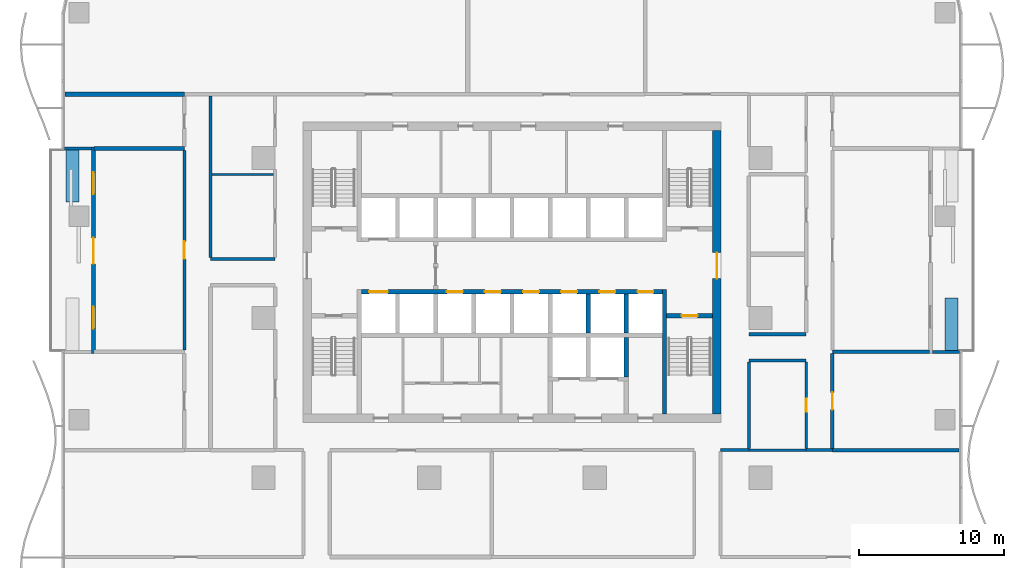
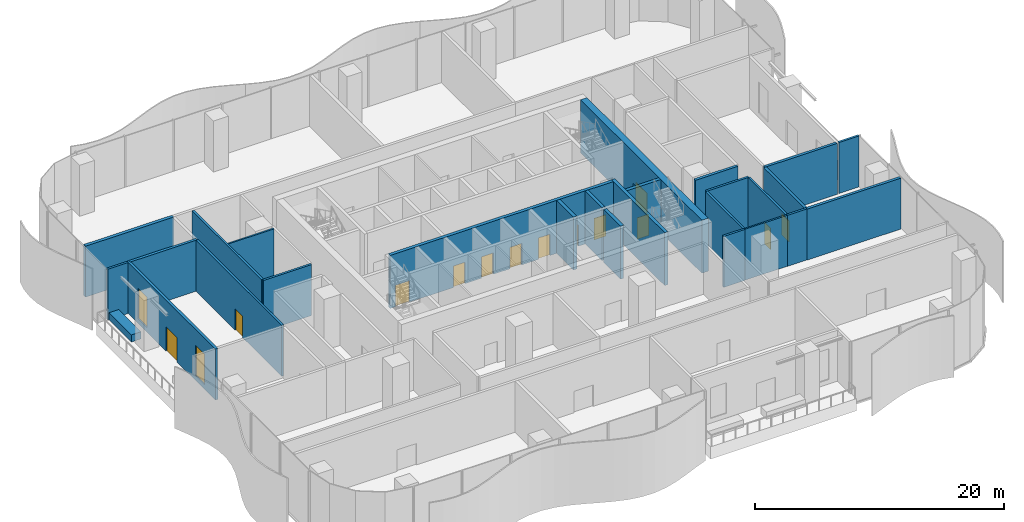
# One storey, part 9 of 21: 28 walls, 13 doors, 2 windows, 15 openings.
"""IFC4 building model written with IfcOpenShell, lengths in metres."""

from ifc_helpers import new_model, si_unit, direction, frame, frame_2d, origin, place, context, subcontext, project, spatial, rectangle, extrude, material, layer, layer_set, type_object, element, fill, save


model = new_model("IFC4")

# Units and contexts
model_context = context("Model", 3, precision=1e-05, world=origin(), true_north=direction((0.0, 1.0)))
body_context = subcontext(model_context, "Body", "Model", "MODEL_VIEW")
ifc_project = project(units=[si_unit("LENGTHUNIT", "METRE"), si_unit("AREAUNIT", "SQUARE_METRE"), si_unit("VOLUMEUNIT", "CUBIC_METRE"), si_unit("PLANEANGLEUNIT", "RADIAN"), si_unit("MASSUNIT", "GRAM", prefix="KILO")], contexts=[model_context])

# Site, building, storey
site_placement = place(None, origin())
site = spatial("IfcSite", under=ifc_project, at=site_placement, CompositionType="ELEMENT")
building_placement = place(site_placement, origin())
building = spatial("IfcBuilding", under=site, at=building_placement, Name="Mopane Tessera Tower", CompositionType="ELEMENT")
storey_placement = place(building_placement, frame((0.0, 0.0, 9.0)))
storey = spatial("IfcBuildingStorey", under=building, at=storey_placement, Name="L01", CompositionType="ELEMENT", Elevation=9.0)

# Wall, opening, door
ifc_material_1 = material(Name="Concrete C70/85", Category="concrete")
ifc_layer_1 = layer(ifc_material_1, 0.60009765625)
ifc_layer_set_1 = layer_set([ifc_layer_1], Name="Concrete C70/85")
wall_type_1 = type_object("IfcWallType", Name="Core shear wall 600 mm", PredefinedType="SHEAR", material=ifc_layer_set_1)
wall_1_placement = place(storey_placement, frame((14.10009765625, -6.60009765625, 0.0), z_axis=(0.0, 0.0, 1.0), x_axis=(0.0, 1.0, 0.0)))
wall_1 = element("IfcWall", 1, at=wall_1_placement, inside=storey, type_object=wall_type_1, Name="L01 Core wall east", PredefinedType="SHEAR", context=body_context, shape_type="SweptSolid", body=[
    extrude(rectangle(XDim=19.5, YDim=0.60009765625, at=frame_2d((9.75, 0.0))), origin(), (0.0, 0.0, 1.0), 5.199951171875),
])
opening_1_placement = place(wall_1_placement, frame((9.300048828125, 0.0, 0.0)))
opening_1 = element("IfcOpeningElement", 2, at=opening_1_placement, cuts=wall_1, Name="Opening SD2", PredefinedType="OPENING", context=body_context, shape_type="SweptSolid", body=[
    extrude(rectangle(XDim=1.800048828125, YDim=2.10009765625, at=frame_2d((0.89990234375, 1.050048828125))), frame((0.0, 0.31201171875, 0.0), z_axis=(0.0, -1.0, 0.0), x_axis=(1.0, 0.0, 0.0)), (0.0, 0.0, 1.0), 0.6240234375),
])
ifc_material_2 = material(Name="Steel fire door", Category="steel")
door_type_1 = type_object("IfcDoorType", Name="Core entrance double door 1800 x 2100", OperationType="DOUBLE_DOOR_SINGLE_SWING", PredefinedType="DOOR", material=ifc_material_2)
door_1_placement = place(opening_1_placement, origin())
door_1 = element("IfcDoor", 3, at=door_1_placement, inside=storey, type_object=door_type_1, Name="L01 Core entrance door east", OperationType="DOUBLE_DOOR_SINGLE_SWING", OverallHeight=2.10009765625, OverallWidth=1.800048828125, PredefinedType="DOOR", context=body_context, shape_type="SweptSolid", body=[
    extrude(rectangle(XDim=1.800048828125, YDim=2.10009765625, at=frame_2d((0.89990234375, 1.050048828125))), frame((0.0, 0.02490234375, 0.0), z_axis=(0.0, -1.0, 0.0), x_axis=(1.0, 0.0, 0.0)), (0.0, 0.0, 1.0), 0.050048828125),
])
fill(opening_1, door_1)

# Walls
ifc_material_3 = material(Name="Concrete C60/75", Category="concrete")
ifc_layer_2 = layer(ifc_material_3, 0.300048828125)
ifc_layer_set_2 = layer_set([ifc_layer_2], Name="Concrete C60/75")
wall_type_2 = type_object("IfcWallType", Name="Core spine wall 300 mm", PredefinedType="SHEAR", material=ifc_layer_set_2)
wall_2_placement = place(storey_placement, frame((10.5, -6.60009765625, 0.0), z_axis=(0.0, 0.0, 1.0), x_axis=(0.0, 1.0, 0.0)))
element("IfcWall", 4, at=wall_2_placement, inside=storey, type_object=wall_type_2, Name="L01 Core spine wall", PredefinedType="SHEAR", context=body_context, shape_type="SweptSolid", body=[
    extrude(rectangle(XDim=8.550048828125, YDim=0.300048828125, at=frame_2d((4.27490234375, 0.0))), origin(), (0.0, 0.0, 1.0), 5.199951171875),
])
ifc_material_4 = material(Name="Gypsum board on steel studs, two layers each face, mineral wool infill", Category="steel")
ifc_layer_3 = layer(ifc_material_4, 0.199951171875)
ifc_layer_set_3 = layer_set([ifc_layer_3], Name="Gypsum board on steel studs, two layers each face, mineral wool infill")
wall_type_3 = type_object("IfcWallType", Name="Gypsum board corridor wall 200, rated EI 60", PredefinedType="PARTITIONING", material=ifc_layer_set_3)
wall_3_placement = place(storey_placement, frame((14.340087890625, -9.10009765625, 0.0), z_axis=(0.0, 0.0, 1.0), x_axis=(1.0, 0.0, 0.0)))
element("IfcWall", 5, at=wall_3_placement, inside=storey, type_object=wall_type_3, Name="Partition L01:011", PredefinedType="PARTITIONING", context=body_context, shape_type="SweptSolid", body=[
    extrude(rectangle(XDim=1.9599609375, YDim=0.199951171875, at=frame_2d((0.97998046875, 0.0))), origin(), (0.0, 0.0, 1.0), 5.0),
])
wall_4_placement = place(storey_placement, frame((20.25, -9.10009765625, 0.0), z_axis=(0.0, 0.0, 1.0), x_axis=(1.0, 0.0, 0.0)))
element("IfcWall", 6, at=wall_4_placement, inside=storey, type_object=wall_type_3, Name="Partition L01:012", PredefinedType="PARTITIONING", context=body_context, shape_type="SweptSolid", body=[
    extrude(rectangle(XDim=1.800048828125, YDim=0.199951171875, at=frame_2d((0.89990234375, 0.0))), origin(), (0.0, 0.0, 1.0), 5.0),
])
wall_5_placement = place(storey_placement, frame((16.300048828125, -2.925048828125, 0.0), z_axis=(0.0, 0.0, 1.0), x_axis=(1.0, 0.0, 0.0)))
element("IfcWall", 7, at=wall_5_placement, inside=storey, type_object=wall_type_3, Name="Partition L01:017", PredefinedType="PARTITIONING", context=body_context, shape_type="SweptSolid", body=[
    extrude(rectangle(XDim=3.949951171875, YDim=0.199951171875, at=frame_2d((1.97509765625, 0.0))), origin(), (0.0, 0.0, 1.0), 5.0),
])
wall_6_placement = place(storey_placement, frame((-20.75, 4.050048828125, 0.0), z_axis=(0.0, 0.0, 1.0), x_axis=(1.0, 0.0, 0.0)))
element("IfcWall", 8, at=wall_6_placement, inside=storey, type_object=wall_type_3, Name="Partition L01:022", PredefinedType="PARTITIONING", context=body_context, shape_type="SweptSolid", body=[
    extrude(rectangle(XDim=4.449951171875, YDim=0.199951171875, at=frame_2d((2.22509765625, 0.0))), origin(), (0.0, 0.0, 1.0), 5.0),
])

# Wall, opening, door
wall_7_placement = place(storey_placement, frame((-22.550048828125, -2.2099609375, 0.0), z_axis=(0.0, 0.0, 1.0), x_axis=(0.0, 1.0, 0.0)))
wall_7 = element("IfcWall", 9, at=wall_7_placement, inside=storey, type_object=wall_type_3, Name="Partition L01:034", PredefinedType="PARTITIONING", context=body_context, shape_type="SweptSolid", body=[
    extrude(rectangle(XDim=13.75, YDim=0.199951171875, at=frame_2d((6.875, 0.0))), origin(), (0.0, 0.0, 1.0), 5.0),
])
opening_2_placement = place(wall_7_placement, frame((6.27490234375, 0.0, 0.0)))
opening_2 = element("IfcOpeningElement", 10, at=opening_2_placement, cuts=wall_7, Name="Opening L01-22", PredefinedType="OPENING", context=body_context, shape_type="SweptSolid", body=[
    extrude(rectangle(XDim=1.199951171875, YDim=2.10009765625, at=frame_2d((0.60009765625, 1.050048828125))), frame((0.0, 0.112060546875, 0.0), z_axis=(0.0, -1.0, 0.0), x_axis=(1.0, 0.0, 0.0)), (0.0, 0.0, 1.0), 0.223876953125),
])
ifc_material_5 = material(Name="Timber veneered steel-framed fire door", Category="steel")
door_type_2 = type_object("IfcDoorType", Name="Fire door FD60 1200 x 2100", OperationType="SINGLE_SWING_LEFT", PredefinedType="DOOR", material=ifc_material_5)
door_2_placement = place(opening_2_placement, origin())
door_2 = element("IfcDoor", 11, at=door_2_placement, inside=storey, type_object=door_type_2, Name="Door L01-22", ObjectType="D15A", OperationType="SINGLE_SWING_LEFT", OverallHeight=2.10009765625, OverallWidth=1.199951171875, PredefinedType="DOOR", context=body_context, shape_type="SweptSolid", body=[
    extrude(rectangle(XDim=1.199951171875, YDim=2.10009765625, at=frame_2d((0.60009765625, 1.050048828125))), frame((0.0, 0.02490234375, 0.0), z_axis=(0.0, -1.0, 0.0), x_axis=(1.0, 0.0, 0.0)), (0.0, 0.0, 1.0), 0.050048828125),
])
fill(opening_2, door_2)

# Walls
wall_8_placement = place(storey_placement, frame((-20.75, 4.14990234375, 0.0), z_axis=(0.0, 0.0, 1.0), x_axis=(0.0, 1.0, 0.0)))
element("IfcWall", 12, at=wall_8_placement, inside=storey, type_object=wall_type_3, Name="Partition L01:037", PredefinedType="PARTITIONING", context=body_context, shape_type="SweptSolid", body=[
    extrude(rectangle(XDim=11.125, YDim=0.199951171875, at=frame_2d((5.5625, 0.0))), origin(), (0.0, 0.0, 1.0), 5.0),
])
wall_9_placement = place(storey_placement, frame((16.300048828125, -9.0, 0.0), z_axis=(0.0, 0.0, 1.0), x_axis=(0.0, 1.0, 0.0)))
element("IfcWall", 13, at=wall_9_placement, inside=storey, type_object=wall_type_3, Name="Partition L01:053", PredefinedType="PARTITIONING", context=body_context, shape_type="SweptSolid", body=[
    extrude(rectangle(XDim=5.97509765625, YDim=0.199951171875, at=frame_2d((2.987548828125, 0.0))), origin(), (0.0, 0.0, 1.0), 5.0),
])

# Wall, opening, door
wall_10_placement = place(storey_placement, frame((20.25, -9.0, 0.0), z_axis=(0.0, 0.0, 1.0), x_axis=(0.0, 1.0, 0.0)))
wall_10 = element("IfcWall", 14, at=wall_10_placement, inside=storey, type_object=wall_type_3, Name="Partition L01:056", PredefinedType="PARTITIONING", context=body_context, shape_type="SweptSolid", body=[
    extrude(rectangle(XDim=5.97509765625, YDim=0.199951171875, at=frame_2d((2.987548828125, 0.0))), origin(), (0.0, 0.0, 1.0), 5.0),
])
opening_3_placement = place(wall_10_placement, frame((2.53759765625, 0.0, 0.0)))
opening_3 = element("IfcOpeningElement", 15, at=opening_3_placement, cuts=wall_10, Name="Opening L01-19", PredefinedType="OPENING", context=body_context, shape_type="SweptSolid", body=[
    extrude(rectangle(XDim=0.89990234375, YDim=2.10009765625, at=frame_2d((0.449951171875, 1.050048828125))), frame((0.0, 0.112060546875, 0.0), z_axis=(0.0, -1.0, 0.0), x_axis=(1.0, 0.0, 0.0)), (0.0, 0.0, 1.0), 0.223876953125),
])
ifc_material_6 = material(Name="Timber veneered steel-framed fire door", Category="steel")
door_type_3 = type_object("IfcDoorType", Name="Fire door FD60 900 x 2100", OperationType="SINGLE_SWING_LEFT", PredefinedType="DOOR", material=ifc_material_6)
door_3_placement = place(opening_3_placement, origin())
door_3 = element("IfcDoor", 16, at=door_3_placement, inside=storey, type_object=door_type_3, Name="Door L01-19", ObjectType="D10A", OperationType="SINGLE_SWING_RIGHT", OverallHeight=2.10009765625, OverallWidth=0.89990234375, PredefinedType="DOOR", context=body_context, shape_type="SweptSolid", body=[
    extrude(rectangle(XDim=0.89990234375, YDim=2.10009765625, at=frame_2d((0.449951171875, 1.050048828125))), frame((0.0, 0.02490234375, 0.0), z_axis=(0.0, -1.0, 0.0), x_axis=(1.0, 0.0, 0.0)), (0.0, 0.0, 1.0), 0.050048828125),
])
fill(opening_3, door_3)

# Walls
ifc_material_7 = material(Name="Gypsum board on steel studs, mineral wool infill", Category="steel")
ifc_layer_4 = layer(ifc_material_7, 0.14990234375)
ifc_layer_set_4 = layer_set([ifc_layer_4], Name="Gypsum board on steel studs, mineral wool infill")
wall_type_4 = type_object("IfcWallType", Name="Gypsum board partition 150, rated EI 60", PredefinedType="PARTITIONING", material=ifc_layer_set_4)
wall_11_placement = place(storey_placement, frame((16.300048828125, -9.10009765625, 0.0), z_axis=(0.0, 0.0, 1.0), x_axis=(1.0, 0.0, 0.0)))
element("IfcWall", 17, at=wall_11_placement, inside=storey, type_object=wall_type_4, Name="Partition L01:007", PredefinedType="PARTITIONING", context=body_context, shape_type="SweptSolid", body=[
    extrude(rectangle(XDim=3.949951171875, YDim=0.14990234375, at=frame_2d((1.97509765625, 0.0))), origin(), (0.0, 0.0, 1.0), 5.0),
])
wall_12_placement = place(storey_placement, frame((-20.64990234375, 9.864990234375, 0.0), z_axis=(0.0, 0.0, 1.0), x_axis=(1.0, 0.0, 0.0)))
element("IfcWall", 18, at=wall_12_placement, inside=storey, type_object=wall_type_4, Name="Partition L01:024", PredefinedType="PARTITIONING", context=body_context, shape_type="SweptSolid", body=[
    extrude(rectangle(XDim=4.25, YDim=0.14990234375, at=frame_2d((2.125, 0.0))), origin(), (0.0, 0.0, 1.0), 5.0),
])

# Wall, opening, door
ifc_material_8 = material(Name="Concrete C50/60", Category="concrete")
ifc_layer_5 = layer(ifc_material_8, 0.300048828125)
ifc_layer_set_5 = layer_set([ifc_layer_5], Name="Concrete C50/60")
wall_type_5 = type_object("IfcWallType", Name="Lift and stair shaft wall 300 mm", PredefinedType="SOLIDWALL", material=ifc_layer_set_5)
wall_13_placement = place(storey_placement, frame((10.64990234375, 0.14990234375, 0.0), z_axis=(0.0, 0.0, 1.0), x_axis=(1.0, 0.0, 0.0)))
wall_13 = element("IfcWall", 19, at=wall_13_placement, inside=storey, type_object=wall_type_5, Name="L01 Stair enclosure wall", PredefinedType="SOLIDWALL", context=body_context, shape_type="SweptSolid", body=[
    extrude(rectangle(XDim=3.150146484375, YDim=0.300048828125, at=frame_2d((1.5751953125, 0.0))), origin(), (0.0, 0.0, 1.0), 5.199951171875),
])
opening_4_placement = place(wall_13_placement, frame((1.02490234375, 0.0, 0.0)))
opening_4 = element("IfcOpeningElement", 20, at=opening_4_placement, cuts=wall_13, Name="Opening SD1", PredefinedType="OPENING", context=body_context, shape_type="SweptSolid", body=[
    extrude(rectangle(XDim=1.10009765625, YDim=2.10009765625, at=frame_2d((0.550048828125, 1.050048828125))), frame((0.0, 0.162109375, 0.0), z_axis=(0.0, -1.0, 0.0), x_axis=(1.0, 0.0, 0.0)), (0.0, 0.0, 1.0), 0.323974609375),
])
ifc_material_9 = material(Name="Steel fire door", Category="steel")
door_type_4 = type_object("IfcDoorType", Name="Stair fire door 1100 x 2100", OperationType="SINGLE_SWING_LEFT", PredefinedType="DOOR", material=ifc_material_9)
door_4_placement = place(opening_4_placement, origin())
door_4 = element("IfcDoor", 21, at=door_4_placement, inside=storey, type_object=door_type_4, Name="L01 Stair door ST3", OperationType="SINGLE_SWING_RIGHT", OverallHeight=2.10009765625, OverallWidth=1.10009765625, PredefinedType="DOOR", context=body_context, shape_type="SweptSolid", body=[
    extrude(rectangle(XDim=1.10009765625, YDim=2.10009765625, at=frame_2d((0.550048828125, 1.050048828125))), frame((0.0, 0.02490234375, 0.0), z_axis=(0.0, -1.0, 0.0), x_axis=(1.0, 0.0, 0.0)), (0.0, 0.0, 1.0), 0.050048828125),
])
fill(opening_4, door_4)

# Wall, openings, doors
wall_14_placement = place(storey_placement, frame((-10.35009765625, 1.800048828125, 0.0), z_axis=(0.0, 0.0, 1.0), x_axis=(1.0, 0.0, 0.0)))
wall_14 = element("IfcWall", 22, at=wall_14_placement, inside=storey, type_object=wall_type_5, Name="L01 Lift shaft front wall", PredefinedType="SOLIDWALL", context=body_context, shape_type="SweptSolid", body=[
    extrude(rectangle(XDim=20.7001953125, YDim=0.300048828125, at=frame_2d((10.35009765625, 0.0))), origin(), (0.0, 0.0, 1.0), 5.199951171875),
])
opening_5_placement = place(wall_14_placement, frame((0.512451171875, 0.0, 0.0)))
opening_5 = element("IfcOpeningElement", 23, at=opening_5_placement, cuts=wall_14, Name="Opening LD2", PredefinedType="OPENING", context=body_context, shape_type="SweptSolid", body=[
    extrude(rectangle(XDim=1.300048828125, YDim=2.10009765625, at=frame_2d((0.64990234375, 1.050048828125))), frame((0.0, 0.162109375, 0.0), z_axis=(0.0, -1.0, 0.0), x_axis=(1.0, 0.0, 0.0)), (0.0, 0.0, 1.0), 0.323974609375),
])
opening_6_placement = place(wall_14_placement, frame((5.862548828125, 0.0, 0.0)))
opening_6 = element("IfcOpeningElement", 24, at=opening_6_placement, cuts=wall_14, Name="Opening LD", PredefinedType="OPENING", context=body_context, shape_type="SweptSolid", body=[
    extrude(rectangle(XDim=1.10009765625, YDim=2.10009765625, at=frame_2d((0.550048828125, 1.050048828125))), frame((0.0, 0.162109375, 0.0), z_axis=(0.0, -1.0, 0.0), x_axis=(1.0, 0.0, 0.0)), (0.0, 0.0, 1.0), 0.323974609375),
])
opening_7_placement = place(wall_14_placement, frame((8.487548828125, 0.0, 0.0)))
opening_7 = element("IfcOpeningElement", 25, at=opening_7_placement, cuts=wall_14, Name="Opening LD", PredefinedType="OPENING", context=body_context, shape_type="SweptSolid", body=[
    extrude(rectangle(XDim=1.10009765625, YDim=2.10009765625, at=frame_2d((0.550048828125, 1.050048828125))), frame((0.0, 0.162109375, 0.0), z_axis=(0.0, -1.0, 0.0), x_axis=(1.0, 0.0, 0.0)), (0.0, 0.0, 1.0), 0.323974609375),
])
opening_8_placement = place(wall_14_placement, frame((11.112548828125, 0.0, 0.0)))
opening_8 = element("IfcOpeningElement", 26, at=opening_8_placement, cuts=wall_14, Name="Opening LD", PredefinedType="OPENING", context=body_context, shape_type="SweptSolid", body=[
    extrude(rectangle(XDim=1.10009765625, YDim=2.10009765625, at=frame_2d((0.550048828125, 1.050048828125))), frame((0.0, 0.162109375, 0.0), z_axis=(0.0, -1.0, 0.0), x_axis=(1.0, 0.0, 0.0)), (0.0, 0.0, 1.0), 0.323974609375),
])
opening_9_placement = place(wall_14_placement, frame((13.737548828125, 0.0, 0.0)))
opening_9 = element("IfcOpeningElement", 27, at=opening_9_placement, cuts=wall_14, Name="Opening LD", PredefinedType="OPENING", context=body_context, shape_type="SweptSolid", body=[
    extrude(rectangle(XDim=1.10009765625, YDim=2.10009765625, at=frame_2d((0.550048828125, 1.050048828125))), frame((0.0, 0.162109375, 0.0), z_axis=(0.0, -1.0, 0.0), x_axis=(1.0, 0.0, 0.0)), (0.0, 0.0, 1.0), 0.323974609375),
])
opening_10_placement = place(wall_14_placement, frame((16.362548828125, 0.0, 0.0)))
opening_10 = element("IfcOpeningElement", 28, at=opening_10_placement, cuts=wall_14, Name="Opening LD", PredefinedType="OPENING", context=body_context, shape_type="SweptSolid", body=[
    extrude(rectangle(XDim=1.10009765625, YDim=2.10009765625, at=frame_2d((0.550048828125, 1.050048828125))), frame((0.0, 0.162109375, 0.0), z_axis=(0.0, -1.0, 0.0), x_axis=(1.0, 0.0, 0.0)), (0.0, 0.0, 1.0), 0.323974609375),
])
opening_11_placement = place(wall_14_placement, frame((18.987548828125, 0.0, 0.0)))
opening_11 = element("IfcOpeningElement", 29, at=opening_11_placement, cuts=wall_14, Name="Opening LD", PredefinedType="OPENING", context=body_context, shape_type="SweptSolid", body=[
    extrude(rectangle(XDim=1.10009765625, YDim=2.10009765625, at=frame_2d((0.550048828125, 1.050048828125))), frame((0.0, 0.162109375, 0.0), z_axis=(0.0, -1.0, 0.0), x_axis=(1.0, 0.0, 0.0)), (0.0, 0.0, 1.0), 0.323974609375),
])
ifc_material_10 = material(Name="Stainless steel sliding door", Category="steel")
door_type_5 = type_object("IfcDoorType", Name="Fire-fighting lift landing door 1300 x 2100", OperationType="DOUBLE_DOOR_SLIDING", PredefinedType="DOOR", material=ifc_material_10)
door_5_placement = place(opening_5_placement, origin())
door_5 = element("IfcDoor", 30, at=door_5_placement, inside=storey, type_object=door_type_5, Name="L01 Lift landing door FF1", OperationType="DOUBLE_DOOR_SLIDING", OverallHeight=2.10009765625, OverallWidth=1.300048828125, PredefinedType="DOOR", context=body_context, shape_type="SweptSolid", body=[
    extrude(rectangle(XDim=1.300048828125, YDim=2.10009765625, at=frame_2d((0.64990234375, 1.050048828125))), frame((0.0, 0.02490234375, 0.0), z_axis=(0.0, -1.0, 0.0), x_axis=(1.0, 0.0, 0.0)), (0.0, 0.0, 1.0), 0.050048828125),
])
fill(opening_5, door_5)
ifc_material_11 = material(Name="Stainless steel sliding door", Category="steel")
door_type_6 = type_object("IfcDoorType", Name="Lift landing door 1100 x 2100", OperationType="DOUBLE_DOOR_SLIDING", PredefinedType="DOOR", material=ifc_material_11)
door_6_placement = place(opening_6_placement, origin())
door_6 = element("IfcDoor", 31, at=door_6_placement, inside=storey, type_object=door_type_6, Name="L01 Lift landing door LR1", OperationType="DOUBLE_DOOR_SLIDING", OverallHeight=2.10009765625, OverallWidth=1.10009765625, PredefinedType="DOOR", context=body_context, shape_type="SweptSolid", body=[
    extrude(rectangle(XDim=1.10009765625, YDim=2.10009765625, at=frame_2d((0.550048828125, 1.050048828125))), frame((0.0, 0.02490234375, 0.0), z_axis=(0.0, -1.0, 0.0), x_axis=(1.0, 0.0, 0.0)), (0.0, 0.0, 1.0), 0.050048828125),
])
fill(opening_6, door_6)
door_7_placement = place(opening_7_placement, origin())
door_7 = element("IfcDoor", 32, at=door_7_placement, inside=storey, type_object=door_type_6, Name="L01 Lift landing door LR2", OperationType="DOUBLE_DOOR_SLIDING", OverallHeight=2.10009765625, OverallWidth=1.10009765625, PredefinedType="DOOR", context=body_context, shape_type="SweptSolid", body=[
    extrude(rectangle(XDim=1.10009765625, YDim=2.10009765625, at=frame_2d((0.550048828125, 1.050048828125))), frame((0.0, 0.02490234375, 0.0), z_axis=(0.0, -1.0, 0.0), x_axis=(1.0, 0.0, 0.0)), (0.0, 0.0, 1.0), 0.050048828125),
])
fill(opening_7, door_7)
door_8_placement = place(opening_8_placement, origin())
door_8 = element("IfcDoor", 33, at=door_8_placement, inside=storey, type_object=door_type_6, Name="L01 Lift landing door LR3", OperationType="DOUBLE_DOOR_SLIDING", OverallHeight=2.10009765625, OverallWidth=1.10009765625, PredefinedType="DOOR", context=body_context, shape_type="SweptSolid", body=[
    extrude(rectangle(XDim=1.10009765625, YDim=2.10009765625, at=frame_2d((0.550048828125, 1.050048828125))), frame((0.0, 0.02490234375, 0.0), z_axis=(0.0, -1.0, 0.0), x_axis=(1.0, 0.0, 0.0)), (0.0, 0.0, 1.0), 0.050048828125),
])
fill(opening_8, door_8)
door_9_placement = place(opening_9_placement, origin())
door_9 = element("IfcDoor", 34, at=door_9_placement, inside=storey, type_object=door_type_6, Name="L01 Lift landing door LR4", OperationType="DOUBLE_DOOR_SLIDING", OverallHeight=2.10009765625, OverallWidth=1.10009765625, PredefinedType="DOOR", context=body_context, shape_type="SweptSolid", body=[
    extrude(rectangle(XDim=1.10009765625, YDim=2.10009765625, at=frame_2d((0.550048828125, 1.050048828125))), frame((0.0, 0.02490234375, 0.0), z_axis=(0.0, -1.0, 0.0), x_axis=(1.0, 0.0, 0.0)), (0.0, 0.0, 1.0), 0.050048828125),
])
fill(opening_9, door_9)
door_10_placement = place(opening_10_placement, origin())
door_10 = element("IfcDoor", 35, at=door_10_placement, inside=storey, type_object=door_type_6, Name="L01 Lift landing door LR5", OperationType="DOUBLE_DOOR_SLIDING", OverallHeight=2.10009765625, OverallWidth=1.10009765625, PredefinedType="DOOR", context=body_context, shape_type="SweptSolid", body=[
    extrude(rectangle(XDim=1.10009765625, YDim=2.10009765625, at=frame_2d((0.550048828125, 1.050048828125))), frame((0.0, 0.02490234375, 0.0), z_axis=(0.0, -1.0, 0.0), x_axis=(1.0, 0.0, 0.0)), (0.0, 0.0, 1.0), 0.050048828125),
])
fill(opening_10, door_10)
door_11_placement = place(opening_11_placement, origin())
door_11 = element("IfcDoor", 36, at=door_11_placement, inside=storey, type_object=door_type_6, Name="L01 Lift landing door LR6", OperationType="DOUBLE_DOOR_SLIDING", OverallHeight=2.10009765625, OverallWidth=1.10009765625, PredefinedType="DOOR", context=body_context, shape_type="SweptSolid", body=[
    extrude(rectangle(XDim=1.10009765625, YDim=2.10009765625, at=frame_2d((0.550048828125, 1.050048828125))), frame((0.0, 0.02490234375, 0.0), z_axis=(0.0, -1.0, 0.0), x_axis=(1.0, 0.0, 0.0)), (0.0, 0.0, 1.0), 0.050048828125),
])
fill(opening_11, door_11)

# Walls
for number, where, z_axis, x_axis, name in (
    (37, (5.25, -1.050048828125, 0.0), (0.0, 0.0, 1.0), (0.0, 1.0, 0.0), "L01 Lift shaft wall"),
    (38, (7.875, -1.050048828125, 0.0), (0.0, 0.0, 1.0), (0.0, 1.0, 0.0), "L01 Lift shaft wall"),
    (39, (7.875, -4.050048828125, 0.0), (0.0, 0.0, 1.0), (0.0, 1.0, 0.0), "L01 Lift shaft wall"),
):
    element("IfcWall", number, at=place(storey_placement, frame(where, z_axis=z_axis, x_axis=x_axis)), inside=storey, type_object=wall_type_5, Name=name, PredefinedType="SOLIDWALL", context=body_context, shape_type="SweptSolid", body=[
        extrude(rectangle(XDim=2.699951171875, YDim=0.300048828125, at=frame_2d((1.35009765625, 0.0))), origin(), (0.0, 0.0, 1.0), 5.199951171875),
    ])
ifc_material_12 = material(Name="Reinforced concrete C32/40 with waterproofing", Category="concrete")
ifc_layer_6 = layer(ifc_material_12, 0.89990234375)
ifc_layer_set_6 = layer_set([ifc_layer_6], Name="Reinforced concrete C32/40 with waterproofing")
wall_type_6 = type_object("IfcWallType", Name="Planter trough 3600 x 900", PredefinedType="STANDARD", material=ifc_layer_set_6)
for number, where, z_axis, x_axis, name in (
    (40, (30.25, -2.2333984375, 0.0), (0.0, 0.0, 1.0), (0.0, 1.0, 0.0), "e:nw:L01:N2:pl0"),
    (41, (-30.25, 11.566650390625, 0.0), (0.0, 0.0, 1.0), (0.0, -1.0, 0.0), "e:nw:L01:N3:pl0"),
):
    element("IfcWall", number, at=place(storey_placement, frame(where, z_axis=z_axis, x_axis=x_axis)), inside=storey, type_object=wall_type_6, Name=name, PredefinedType="STANDARD", context=body_context, shape_type="SweptSolid", body=[
        extrude(rectangle(XDim=3.60009765625, YDim=0.89990234375, at=frame_2d((1.800048828125, 0.0))), origin(), (0.0, 0.0, 1.0), 0.699951171875),
    ])
ifc_material_13 = material(Name="Plastered concrete blockwork C20/25", Category="masonry")
ifc_layer_7 = layer(ifc_material_13, 0.300048828125)
ifc_layer_set_7 = layer_set([ifc_layer_7], Name="Plastered concrete blockwork C20/25")
wall_type_7 = type_object("IfcWallType", Name="Plastered blockwork separation wall 300, rated EI 120", PredefinedType="PARTITIONING", material=ifc_layer_set_7)
wall_15_placement = place(storey_placement, frame((-30.75, 15.39990234375, 0.0), z_axis=(0.0, 0.0, 1.0), x_axis=(1.0, 0.0, 0.0)))
element("IfcWall", 42, at=wall_15_placement, inside=storey, type_object=wall_type_7, Name="Partition L01:033", PredefinedType="PARTITIONING", context=body_context, shape_type="SweptSolid", body=[
    extrude(rectangle(XDim=8.199951171875, YDim=0.300048828125, at=frame_2d((4.10009765625, 0.0))), origin(), (0.0, 0.0, 1.0), 5.0),
])
ifc_material_14 = material(Name="Plastered concrete blockwork C20/25", Category="masonry")
ifc_layer_8 = layer(ifc_material_14, 0.25)
ifc_layer_set_8 = layer_set([ifc_layer_8], Name="Plastered concrete blockwork C20/25")
wall_type_8 = type_object("IfcWallType", Name="Plastered blockwork wall 250, rated EI 120", PredefinedType="PARTITIONING", material=ifc_layer_set_8)
wall_16_placement = place(storey_placement, frame((22.050048828125, -9.10009765625, 0.0), z_axis=(0.0, 0.0, 1.0), x_axis=(1.0, 0.0, 0.0)))
element("IfcWall", 43, at=wall_16_placement, inside=storey, type_object=wall_type_8, Name="Partition L01:016", PredefinedType="PARTITIONING", context=body_context, shape_type="SweptSolid", body=[
    extrude(rectangle(XDim=8.699951171875, YDim=0.25, at=frame_2d((4.35009765625, 0.0))), origin(), (0.0, 0.0, 1.0), 5.0),
])
wall_17_placement = place(storey_placement, frame((22.050048828125, -2.3349609375, 0.0), z_axis=(0.0, 0.0, 1.0), x_axis=(1.0, 0.0, 0.0)))
element("IfcWall", 44, at=wall_17_placement, inside=storey, type_object=wall_type_8, Name="Partition L01:019", PredefinedType="PARTITIONING", context=body_context, shape_type="SweptSolid", body=[
    extrude(rectangle(XDim=6.699951171875, YDim=0.25, at=frame_2d((3.35009765625, 0.0))), origin(), (0.0, 0.0, 1.0), 5.0),
])
wall_18_placement = place(storey_placement, frame((16.300048828125, -1.125, 0.0), z_axis=(0.0, 0.0, 1.0), x_axis=(1.0, 0.0, 0.0)))
element("IfcWall", 45, at=wall_18_placement, inside=storey, type_object=wall_type_8, Name="Partition L01:020", PredefinedType="PARTITIONING", context=body_context, shape_type="SweptSolid", body=[
    extrude(rectangle(XDim=3.949951171875, YDim=0.25, at=frame_2d((1.97509765625, 0.0))), origin(), (0.0, 0.0, 1.0), 5.0),
])
wall_19_placement = place(storey_placement, frame((-28.75, 11.6650390625, 0.0), z_axis=(0.0, 0.0, 1.0), x_axis=(1.0, 0.0, 0.0)))
element("IfcWall", 46, at=wall_19_placement, inside=storey, type_object=wall_type_8, Name="Partition L01:026", PredefinedType="PARTITIONING", context=body_context, shape_type="SweptSolid", body=[
    extrude(rectangle(XDim=6.199951171875, YDim=0.25, at=frame_2d((3.10009765625, 0.0))), origin(), (0.0, 0.0, 1.0), 5.0),
])

# Wall, opening, door
wall_20_placement = place(storey_placement, frame((22.050048828125, -8.97509765625, 0.0), z_axis=(0.0, 0.0, 1.0), x_axis=(0.0, 1.0, 0.0)))
wall_20 = element("IfcWall", 47, at=wall_20_placement, inside=storey, type_object=wall_type_8, Name="Partition L01:060", PredefinedType="PARTITIONING", context=body_context, shape_type="SweptSolid", body=[
    extrude(rectangle(XDim=6.51513671875, YDim=0.25, at=frame_2d((3.257568359375, 0.0))), origin(), (0.0, 0.0, 1.0), 5.0),
])
opening_12_placement = place(wall_20_placement, frame((2.657470703125, 0.0, 0.0)))
opening_12 = element("IfcOpeningElement", 48, at=opening_12_placement, cuts=wall_20, Name="Opening L01-04", PredefinedType="OPENING", context=body_context, shape_type="SweptSolid", body=[
    extrude(rectangle(XDim=1.199951171875, YDim=2.10009765625, at=frame_2d((0.60009765625, 1.050048828125))), frame((0.0, 0.136962890625, 0.0), z_axis=(0.0, -1.0, 0.0), x_axis=(1.0, 0.0, 0.0)), (0.0, 0.0, 1.0), 0.27392578125),
])
ifc_material_15 = material(Name="Timber veneered steel-framed fire door", Category="steel")
door_type_7 = type_object("IfcDoorType", Name="Fire door FD120 1200 x 2100", OperationType="SINGLE_SWING_LEFT", PredefinedType="DOOR", material=ifc_material_15)
door_12_placement = place(opening_12_placement, origin())
door_12 = element("IfcDoor", 49, at=door_12_placement, inside=storey, type_object=door_type_7, Name="Door L01-04", ObjectType="D15B", OperationType="SINGLE_SWING_LEFT", OverallHeight=2.10009765625, OverallWidth=1.199951171875, PredefinedType="DOOR", context=body_context, shape_type="SweptSolid", body=[
    extrude(rectangle(XDim=1.199951171875, YDim=2.10009765625, at=frame_2d((0.60009765625, 1.050048828125))), frame((0.0, 0.02490234375, 0.0), z_axis=(0.0, -1.0, 0.0), x_axis=(1.0, 0.0, 0.0)), (0.0, 0.0, 1.0), 0.050048828125),
])
fill(opening_12, door_12)

# Walls
ifc_material_16 = material(Name="Blockwork with glazed tile facing", Category="masonry")
ifc_layer_9 = layer(ifc_material_16, 0.199951171875)
ifc_layer_set_9 = layer_set([ifc_layer_9], Name="Blockwork with glazed tile facing")
wall_type_9 = type_object("IfcWallType", Name="Terrace cheek wall 200", PredefinedType="STANDARD", material=ifc_layer_set_9)
for number, where, z_axis, x_axis, name in (
    (50, (30.800048828125, -2.333251953125, 0.0), (0.0, 0.0, 1.0), (-1.0, 0.0, 0.0), "e:nw:L01:N2:cheeka"),
    (51, (-30.800048828125, 11.666748046875, 0.0), (0.0, 0.0, 1.0), (1.0, 0.0, 0.0), "e:nw:L01:N3:cheeka"),
):
    element("IfcWall", number, at=place(storey_placement, frame(where, z_axis=z_axis, x_axis=x_axis)), inside=storey, type_object=wall_type_9, Name=name, PredefinedType="STANDARD", context=body_context, shape_type="SweptSolid", body=[
        extrude(rectangle(XDim=1.875, YDim=0.199951171875, at=frame_2d((0.9375, 0.0))), origin(), (0.0, 0.0, 1.0), 5.0),
    ])

# Wall, openings, windows, door
ifc_material_17 = material(Name="Blockwork with turquoise glazed tile facing", Category="masonry")
ifc_layer_10 = layer(ifc_material_17, 0.25)
ifc_layer_set_10 = layer_set([ifc_layer_10], Name="Blockwork with turquoise glazed tile facing")
wall_type_10 = type_object("IfcWallType", Name="Tile-clad external wall 250, turquoise", PredefinedType="STANDARD", material=ifc_layer_set_10)
wall_21_placement = place(storey_placement, frame((-28.800048828125, 11.7666015625, 0.0), z_axis=(0.0, 0.0, 1.0), x_axis=(0.0, -1.0, 0.0)))
wall_21 = element("IfcWall", 52, at=wall_21_placement, inside=storey, type_object=wall_type_10, Name="e:nw:L01:N3:back", PredefinedType="STANDARD", context=body_context, shape_type="SweptSolid", body=[
    extrude(rectangle(XDim=14.199951171875, YDim=0.25, at=frame_2d((7.10009765625, 0.0))), origin(), (0.0, 0.0, 1.0), 5.0),
])
opening_13_placement = place(wall_21_placement, frame((1.75, 0.0, 0.449951171875)))
opening_13 = element("IfcOpeningElement", 53, at=opening_13_placement, cuts=wall_21, Name="Opening NW013A", PredefinedType="OPENING", context=body_context, shape_type="SweptSolid", body=[
    extrude(rectangle(XDim=1.5, YDim=3.0, at=frame_2d((0.75, 1.5))), frame((0.0, 0.136962890625, 0.0), z_axis=(0.0, -1.0, 0.0), x_axis=(1.0, 0.0, 0.0)), (0.0, 0.0, 1.0), 0.27392578125),
])
opening_14_placement = place(wall_21_placement, frame((6.25, 0.0, 0.0)))
opening_14 = element("IfcOpeningElement", 54, at=opening_14_placement, cuts=wall_21, Name="Opening ND013", PredefinedType="OPENING", context=body_context, shape_type="SweptSolid", body=[
    extrude(rectangle(XDim=1.800048828125, YDim=2.39990234375, at=frame_2d((0.89990234375, 1.199951171875))), frame((0.0, 0.136962890625, 0.0), z_axis=(0.0, -1.0, 0.0), x_axis=(1.0, 0.0, 0.0)), (0.0, 0.0, 1.0), 0.27392578125),
])
opening_15_placement = place(wall_21_placement, frame((11.0, 0.0, 0.449951171875)))
opening_15 = element("IfcOpeningElement", 55, at=opening_15_placement, cuts=wall_21, Name="Opening NW013B", PredefinedType="OPENING", context=body_context, shape_type="SweptSolid", body=[
    extrude(rectangle(XDim=1.5, YDim=3.0, at=frame_2d((0.75, 1.5))), frame((0.0, 0.136962890625, 0.0), z_axis=(0.0, -1.0, 0.0), x_axis=(1.0, 0.0, 0.0)), (0.0, 0.0, 1.0), 0.27392578125),
])
ifc_material_18 = material(Name="Clear laminated glass", Category="glass")
window_type = type_object("IfcWindowType", Name="Fixed window 1500 x 3000", PartitioningType="SINGLE_PANEL", PredefinedType="WINDOW", material=ifc_material_18)
window_1_placement = place(opening_13_placement, origin())
window_1 = element("IfcWindow", 56, at=window_1_placement, inside=storey, type_object=window_type, Name="e:nw:L01:N3:win0", OverallHeight=3.0, OverallWidth=1.5, PartitioningType="SINGLE_PANEL", PredefinedType="WINDOW", context=body_context, shape_type="SweptSolid", body=[
    extrude(rectangle(XDim=1.5, YDim=3.0, at=frame_2d((0.75, 1.5))), frame((0.0, 0.030029296875, 0.0), z_axis=(0.0, -1.0, 0.0), x_axis=(1.0, 0.0, 0.0)), (0.0, 0.0, 1.0), 0.06005859375),
])
fill(opening_13, window_1)
window_2_placement = place(opening_15_placement, origin())
window_2 = element("IfcWindow", 57, at=window_2_placement, inside=storey, type_object=window_type, Name="e:nw:L01:N3:win2", OverallHeight=3.0, OverallWidth=1.5, PartitioningType="SINGLE_PANEL", PredefinedType="WINDOW", context=body_context, shape_type="SweptSolid", body=[
    extrude(rectangle(XDim=1.5, YDim=3.0, at=frame_2d((0.75, 1.5))), frame((0.0, 0.030029296875, 0.0), z_axis=(0.0, -1.0, 0.0), x_axis=(1.0, 0.0, 0.0)), (0.0, 0.0, 1.0), 0.06005859375),
])
fill(opening_15, window_2)
ifc_material_19 = material(Name="Aluminium and clear glass", Category="aluminium")
door_type_8 = type_object("IfcDoorType", Name="Terrace double door 1800 x 2400", OperationType="DOUBLE_DOOR_SINGLE_SWING", PredefinedType="DOOR", material=ifc_material_19)
door_13_placement = place(opening_14_placement, origin())
door_13 = element("IfcDoor", 58, at=door_13_placement, inside=storey, type_object=door_type_8, Name="e:nw:L01:N3:door", ObjectType="D1", OperationType="DOUBLE_DOOR_SINGLE_SWING", OverallHeight=2.39990234375, OverallWidth=1.800048828125, PredefinedType="DOOR", context=body_context, shape_type="SweptSolid", body=[
    extrude(rectangle(XDim=1.800048828125, YDim=2.39990234375, at=frame_2d((0.89990234375, 1.199951171875))), frame((0.0, 0.02490234375, 0.0), z_axis=(0.0, -1.0, 0.0), x_axis=(1.0, 0.0, 0.0)), (0.0, 0.0, 1.0), 0.050048828125),
])
fill(opening_14, door_13)

save(model, "model.ifc")
